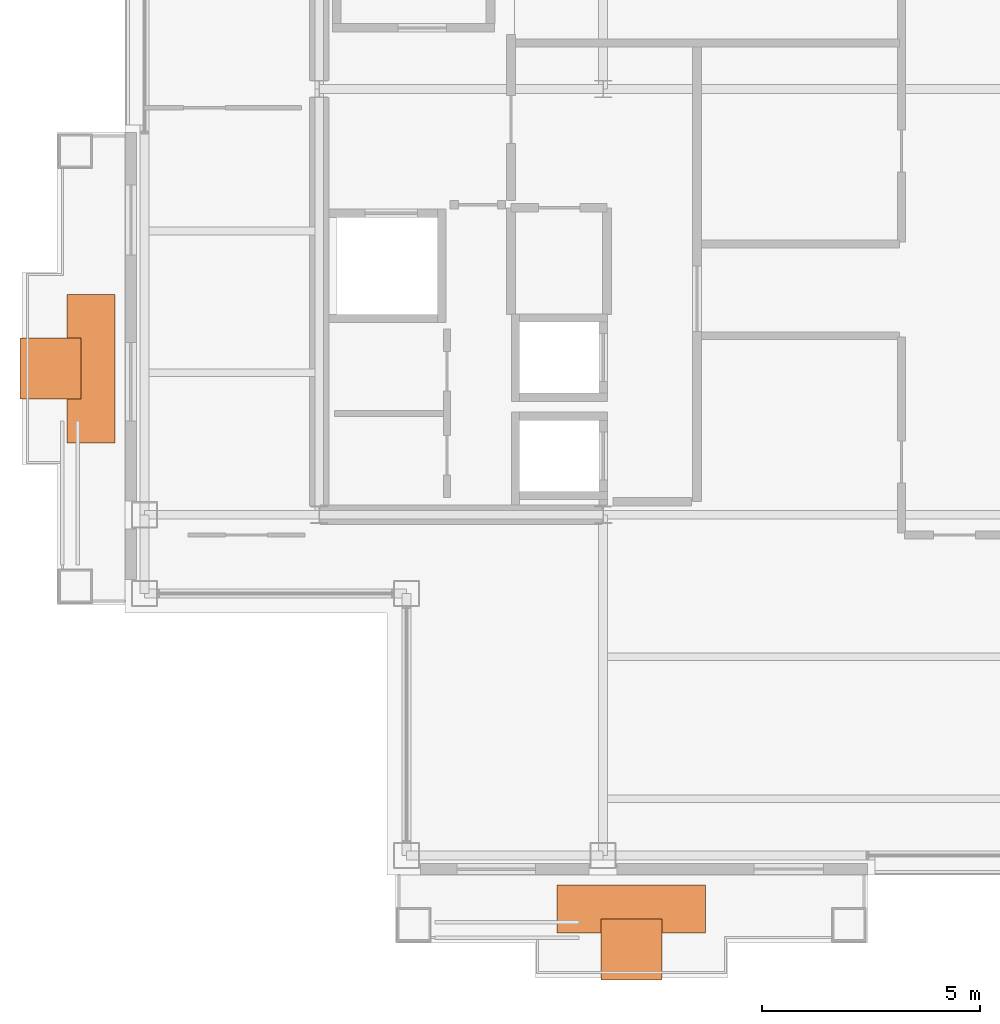
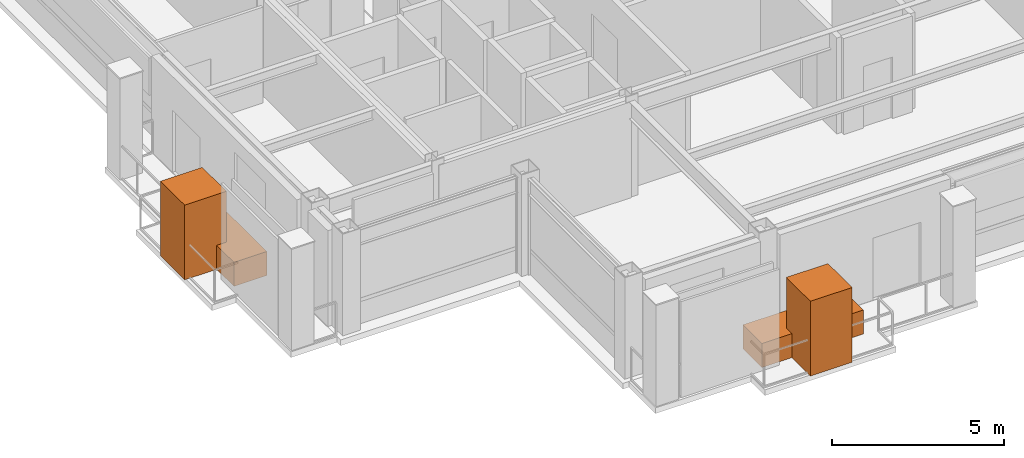
# One storey, part 27 of 27: 4 proxies.
"""IFC4 building model written with IfcOpenShell, lengths in metres."""

from ifc_helpers import new_model, si_unit, direction, frame, origin, origin_2d, place, context, subcontext, project, spatial, rectangle, extrude, material, type_object, element, save


model = new_model("IFC4")

# Units and contexts
model_context = context("Model", 3, precision=1e-05, world=origin(), true_north=direction((0.0, 1.0)))
body_context = subcontext(model_context, "Body", "Model", "MODEL_VIEW")
ifc_project = project(units=[si_unit("LENGTHUNIT", "METRE"), si_unit("AREAUNIT", "SQUARE_METRE"), si_unit("VOLUMEUNIT", "CUBIC_METRE"), si_unit("PLANEANGLEUNIT", "RADIAN"), si_unit("MASSUNIT", "GRAM", prefix="KILO")], contexts=[model_context])

# Site, building, storey
site_placement = place(None, origin())
site = spatial("IfcSite", under=ifc_project, at=site_placement, CompositionType="ELEMENT")
building_placement = place(site_placement, origin())
building = spatial("IfcBuilding", under=site, at=building_placement, Name="Brelmoor Portico Tower", CompositionType="ELEMENT")
storey_placement = place(building_placement, frame((0.0, 0.0, 258.0)))
storey = spatial("IfcBuildingStorey", under=building, at=storey_placement, Name="L68", CompositionType="ELEMENT", Elevation=258.0)

# Proxies
ifc_material_1 = material(Name="Planted Canopy Tree and Soil Rootball", Category="other")
building_element_proxy_type_1 = type_object("IfcBuildingElementProxyType", Name="BALCONY TREE ARBOR", PredefinedType="USERDEFINED", material=ifc_material_1)
for number, where, z_axis, x_axis, name in (
    (1, (-7.39990234375, -19.699951171875, 0.0), (0.0, 0.0, 1.0), (1.0, 0.0, 0.0), "L68 Balcony PLANTER Tree Canopy Arbor S"),
    (2, (-20.699951171875, -6.39990234375, 0.0), (0.0, 0.0, 1.0), (1.0, 0.0, 0.0), "L68 Balcony PLANTER Tree Canopy Arbor W"),
):
    element("IfcBuildingElementProxy", number, at=place(storey_placement, frame(where, z_axis=z_axis, x_axis=x_axis)), inside=storey, type_object=building_element_proxy_type_1, Name=name, ObjectType="PLANTER", PredefinedType="USERDEFINED", context=body_context, shape_type="SweptSolid", body=[
        extrude(rectangle(XDim=1.39990234375, YDim=1.39990234375, at=origin_2d()), origin(), (0.0, 0.0, 1.0), 2.64990234375),
    ])
ifc_material_2 = material(Name="Architectural Precast Concrete C40", Category="concrete")
building_element_proxy_type_2 = type_object("IfcBuildingElementProxyType", Name="TREE PLANTER", PredefinedType="USERDEFINED", material=ifc_material_2)
for number, where, z_axis, x_axis, name in (
    (3, (-7.39990234375, -18.77490234375, 0.0), (0.0, 0.0, 1.0), (1.0, 0.0, 0.0), "L68 Planted Tree Planter S"),
    (4, (-19.77490234375, -6.39990234375, 0.0), (0.0, 0.0, 1.0), (0.0, 1.0, 0.0), "L68 Planted Tree Planter W"),
):
    element("IfcBuildingElementProxy", number, at=place(storey_placement, frame(where, z_axis=z_axis, x_axis=x_axis)), inside=storey, type_object=building_element_proxy_type_2, Name=name, ObjectType="PLANTER", PredefinedType="USERDEFINED", context=body_context, shape_type="SweptSolid", body=[
        extrude(rectangle(XDim=3.39990234375, YDim=1.10009765625, at=origin_2d()), origin(), (0.0, 0.0, 1.0), 0.85009765625),
    ])

save(model, "model.ifc")
